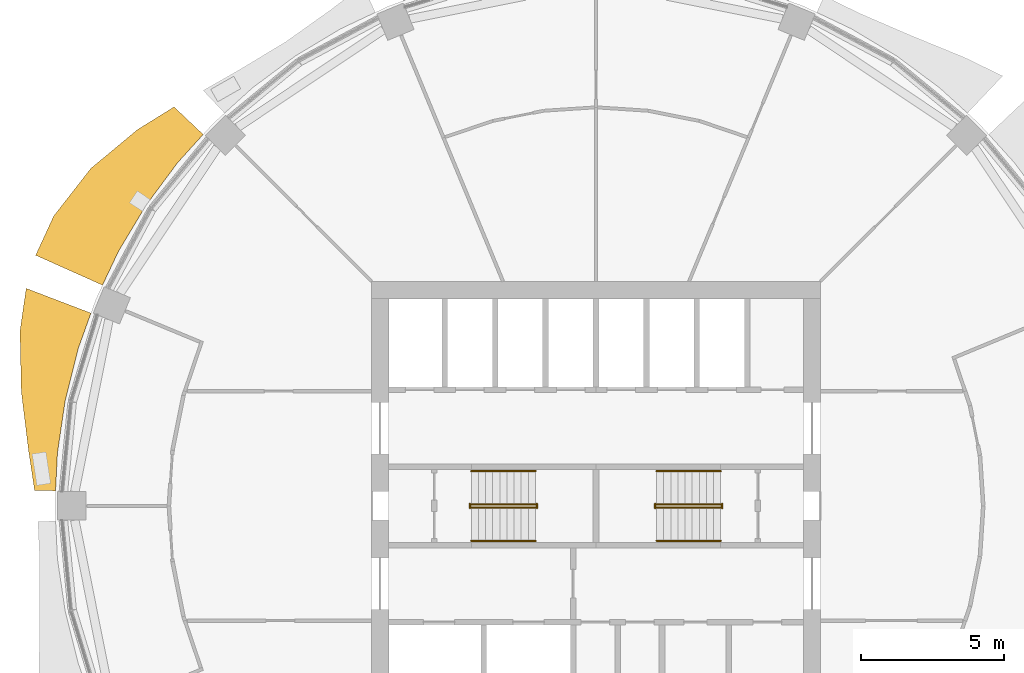
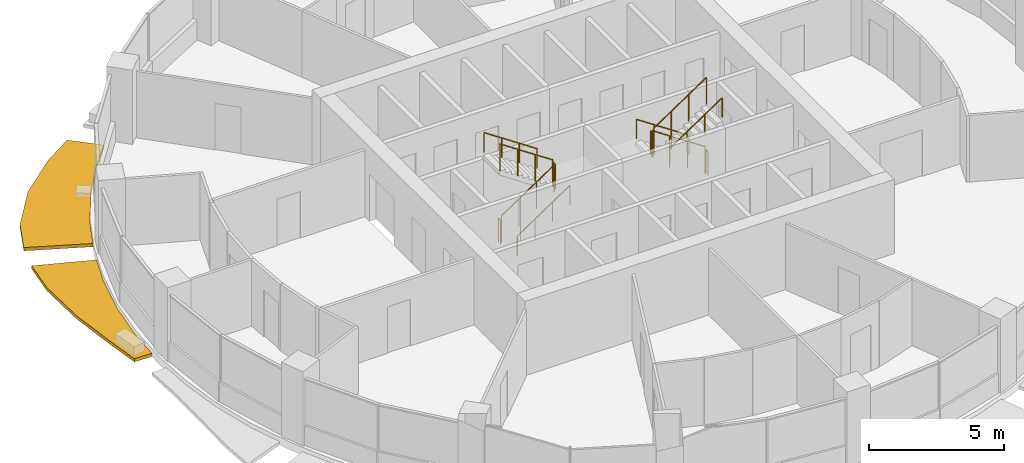
# One storey, part 13 of 15: 12 railings, 2 shading devices.
"""IFC4 building model written with IfcOpenShell, lengths in metres."""

from ifc_helpers import new_model, si_unit, direction, frame, origin, origin_2d, place, context, subcontext, project, spatial, polyline, circle, outline, extrude, material, type_object, element, save


model = new_model("IFC4")

# Units and contexts
model_context = context("Model", 3, precision=1e-05, world=origin(), true_north=direction((0.0, 1.0)))
body_context = subcontext(model_context, "Body", "Model", "MODEL_VIEW")
ifc_project = project(units=[si_unit("LENGTHUNIT", "METRE"), si_unit("AREAUNIT", "SQUARE_METRE"), si_unit("VOLUMEUNIT", "CUBIC_METRE"), si_unit("PLANEANGLEUNIT", "RADIAN"), si_unit("MASSUNIT", "GRAM", prefix="KILO")], contexts=[model_context])

# Site, building, storey
site_placement = place(None, origin())
site = spatial("IfcSite", under=ifc_project, at=site_placement, CompositionType="ELEMENT")
building_placement = place(site_placement, origin())
building = spatial("IfcBuilding", under=site, at=building_placement, Name="Polderwave Tower", CompositionType="ELEMENT")
storey_placement = place(building_placement, frame((0.0, 0.0, 134.35009765625)))
storey = spatial("IfcBuildingStorey", under=building, at=storey_placement, Name="L35", CompositionType="ELEMENT", Elevation=134.35009765625)

# Railings
ifc_material_1 = material(Name="Stainless steel", Category="steel")
railing_type_1 = type_object("IfcRailingType", Name="Stair guard 1100", PredefinedType="GUARDRAIL", material=ifc_material_1)
railing_1_placement = place(storey_placement, frame((-4.3740234375, -0.051025390625, 0.04736328125)))
element("IfcRailing", 1, at=railing_1_placement, inside=storey, type_object=railing_type_1, Name="L35 ST-A stair guard 1", PredefinedType="GUARDRAIL", context=body_context, shape_type="SweptSolid", body=[
    extrude(circle(Radius=0.02392578125, at=origin_2d()), frame((0.0, 0.0, 1.1962890625), z_axis=(0.830799990696, 0.0, 0.556571087517), x_axis=(0.0, 1.0, 0.0)), (0.0, 0.0, 1.0), 2.708251953125),
    extrude(circle(Radius=0.02392578125, at=origin_2d()), origin(), (0.0, 0.0, 1.0), 1.172119140625),
    extrude(circle(Radius=0.02392578125, at=origin_2d()), frame((0.75, 0.0, 0.50244140625)), (0.0, 0.0, 1.0), 1.172119140625),
    extrude(circle(Radius=0.02392578125, at=origin_2d()), frame((1.5, 0.0, 1.0048828125)), (0.0, 0.0, 1.0), 1.172119140625),
    extrude(circle(Radius=0.02392578125, at=origin_2d()), frame((2.25, 0.0, 1.50732421875)), (0.0, 0.0, 1.0), 1.172119140625),
])
railing_2_placement = place(storey_placement, frame((-2.073974609375, -0.074951171875, 1.6748046875)))
element("IfcRailing", 2, at=railing_2_placement, inside=storey, type_object=railing_type_1, Name="L35 ST-A stair guard 2", PredefinedType="GUARDRAIL", context=body_context, shape_type="SweptSolid", body=[
    extrude(circle(Radius=0.02392578125, at=origin_2d()), frame((0.0, 0.0, 1.076171875), z_axis=(0.0, 1.0, 0.0), x_axis=(-1.0, 0.0, 0.0)), (0.0, 0.0, 1.0), 0.14990234375),
    extrude(circle(Radius=0.02099609375, at=origin_2d()), origin(), (0.0, 0.0, 1.0), 1.052001953125),
    extrude(circle(Radius=0.02099609375, at=origin_2d()), frame((0.0, 0.14990234375, 0.0)), (0.0, 0.0, 1.0), 1.052001953125),
])
railing_3_placement = place(storey_placement, frame((-2.1240234375, 0.051025390625, 1.72216796875)))
element("IfcRailing", 3, at=railing_3_placement, inside=storey, type_object=railing_type_1, Name="L35 ST-A stair guard 3", PredefinedType="GUARDRAIL", context=body_context, shape_type="SweptSolid", body=[
    extrude(circle(Radius=0.02392578125, at=origin_2d()), frame((0.0, 0.0, 1.1962890625), z_axis=(-0.830758306289, 0.0, 0.556633305266), x_axis=(0.0, -1.0, 0.0)), (0.0, 0.0, 1.0), 2.708251953125),
    extrude(circle(Radius=0.02392578125, at=origin_2d()), origin(), (0.0, 0.0, 1.0), 1.172119140625),
    extrude(circle(Radius=0.02392578125, at=origin_2d()), frame((-0.75, 0.0, 0.50244140625)), (0.0, 0.0, 1.0), 1.172119140625),
    extrude(circle(Radius=0.02392578125, at=origin_2d()), frame((-1.5, 0.0, 1.005126953125)), (0.0, 0.0, 1.0), 1.172119140625),
    extrude(circle(Radius=0.02392578125, at=origin_2d()), frame((-2.25, 0.0, 1.507568359375)), (0.0, 0.0, 1.0), 1.172119140625),
])
railing_4_placement = place(storey_placement, frame((-4.424072265625, -0.074951171875, 0.0)))
element("IfcRailing", 4, at=railing_4_placement, inside=storey, type_object=railing_type_1, Name="L35 ST-A stair guard 4", PredefinedType="GUARDRAIL", context=body_context, shape_type="SweptSolid", body=[
    extrude(circle(Radius=0.02392578125, at=origin_2d()), frame((0.0, 0.0, 1.076171875), z_axis=(0.0, 1.0, 0.0), x_axis=(-1.0, 0.0, 0.0)), (0.0, 0.0, 1.0), 0.14990234375),
    extrude(circle(Radius=0.02099609375, at=origin_2d()), origin(), (0.0, 0.0, 1.0), 1.052001953125),
    extrude(circle(Radius=0.02099609375, at=origin_2d()), frame((0.0, 0.14990234375, 0.0)), (0.0, 0.0, 1.0), 1.052001953125),
])
railing_5_placement = place(storey_placement, frame((4.3740234375, 0.051025390625, 0.04736328125)))
element("IfcRailing", 5, at=railing_5_placement, inside=storey, type_object=railing_type_1, Name="L35 ST-B stair guard 1", PredefinedType="GUARDRAIL", context=body_context, shape_type="SweptSolid", body=[
    extrude(circle(Radius=0.02392578125, at=origin_2d()), frame((0.0, 0.0, 1.1962890625), z_axis=(-0.830799990696, 0.0, 0.556571087517), x_axis=(0.0, -1.0, 0.0)), (0.0, 0.0, 1.0), 2.708251953125),
    extrude(circle(Radius=0.02392578125, at=origin_2d()), origin(), (0.0, 0.0, 1.0), 1.172119140625),
    extrude(circle(Radius=0.02392578125, at=origin_2d()), frame((-0.75, 0.0, 0.50244140625)), (0.0, 0.0, 1.0), 1.172119140625),
    extrude(circle(Radius=0.02392578125, at=origin_2d()), frame((-1.5, 0.0, 1.0048828125)), (0.0, 0.0, 1.0), 1.172119140625),
    extrude(circle(Radius=0.02392578125, at=origin_2d()), frame((-2.25, 0.0, 1.50732421875)), (0.0, 0.0, 1.0), 1.172119140625),
])
railing_6_placement = place(storey_placement, frame((2.073974609375, 0.074951171875, 1.6748046875)))
element("IfcRailing", 6, at=railing_6_placement, inside=storey, type_object=railing_type_1, Name="L35 ST-B stair guard 2", PredefinedType="GUARDRAIL", context=body_context, shape_type="SweptSolid", body=[
    extrude(circle(Radius=0.02392578125, at=origin_2d()), frame((0.0, 0.0, 1.076171875), z_axis=(0.0, -1.0, 0.0), x_axis=(1.0, 0.0, 0.0)), (0.0, 0.0, 1.0), 0.14990234375),
    extrude(circle(Radius=0.02099609375, at=origin_2d()), origin(), (0.0, 0.0, 1.0), 1.052001953125),
    extrude(circle(Radius=0.02099609375, at=origin_2d()), frame((0.0, -0.14990234375, 0.0)), (0.0, 0.0, 1.0), 1.052001953125),
])
railing_7_placement = place(storey_placement, frame((2.1240234375, -0.051025390625, 1.72216796875)))
element("IfcRailing", 7, at=railing_7_placement, inside=storey, type_object=railing_type_1, Name="L35 ST-B stair guard 3", PredefinedType="GUARDRAIL", context=body_context, shape_type="SweptSolid", body=[
    extrude(circle(Radius=0.02392578125, at=origin_2d()), frame((0.0, 0.0, 1.1962890625), z_axis=(0.830758306289, 0.0, 0.556633305266), x_axis=(0.0, 1.0, 0.0)), (0.0, 0.0, 1.0), 2.708251953125),
    extrude(circle(Radius=0.02392578125, at=origin_2d()), origin(), (0.0, 0.0, 1.0), 1.172119140625),
    extrude(circle(Radius=0.02392578125, at=origin_2d()), frame((0.75, 0.0, 0.50244140625)), (0.0, 0.0, 1.0), 1.172119140625),
    extrude(circle(Radius=0.02392578125, at=origin_2d()), frame((1.5, 0.0, 1.005126953125)), (0.0, 0.0, 1.0), 1.172119140625),
    extrude(circle(Radius=0.02392578125, at=origin_2d()), frame((2.25, 0.0, 1.507568359375)), (0.0, 0.0, 1.0), 1.172119140625),
])
railing_8_placement = place(storey_placement, frame((4.424072265625, 0.074951171875, 0.0)))
element("IfcRailing", 8, at=railing_8_placement, inside=storey, type_object=railing_type_1, Name="L35 ST-B stair guard 4", PredefinedType="GUARDRAIL", context=body_context, shape_type="SweptSolid", body=[
    extrude(circle(Radius=0.02392578125, at=origin_2d()), frame((0.0, 0.0, 1.076171875), z_axis=(0.0, -1.0, 0.0), x_axis=(1.0, 0.0, 0.0)), (0.0, 0.0, 1.0), 0.14990234375),
    extrude(circle(Radius=0.02099609375, at=origin_2d()), origin(), (0.0, 0.0, 1.0), 1.052001953125),
    extrude(circle(Radius=0.02099609375, at=origin_2d()), frame((0.0, -0.14990234375, 0.0)), (0.0, 0.0, 1.0), 1.052001953125),
])
railing_type_2 = type_object("IfcRailingType", Name="Stair handrail 900", PredefinedType="HANDRAIL", material=ifc_material_1)
railing_9_placement = place(storey_placement, frame((-4.3740234375, -1.22509765625, 0.16748046875)))
element("IfcRailing", 9, at=railing_9_placement, inside=storey, type_object=railing_type_2, Name="L35 ST-A stair handrail 1", PredefinedType="HANDRAIL", context=body_context, shape_type="SweptSolid", body=[
    extrude(circle(Radius=0.02392578125, at=origin_2d()), frame((0.0, 0.0, 0.8759765625), z_axis=(0.830799990696, 0.0, 0.556571087517), x_axis=(0.0, 1.0, 0.0)), (0.0, 0.0, 1.0), 2.708251953125),
    extrude(circle(Radius=0.02099609375, at=origin_2d()), origin(), (0.0, 0.0, 1.0), 0.851806640625),
    extrude(circle(Radius=0.02099609375, at=origin_2d()), frame((0.75, 0.0, 0.50244140625)), (0.0, 0.0, 1.0), 0.851806640625),
    extrude(circle(Radius=0.02099609375, at=origin_2d()), frame((1.5, 0.0, 1.0048828125)), (0.0, 0.0, 1.0), 0.851806640625),
    extrude(circle(Radius=0.02099609375, at=origin_2d()), frame((2.25, 0.0, 1.50732421875)), (0.0, 0.0, 1.0), 0.851806640625),
])
railing_10_placement = place(storey_placement, frame((-2.1240234375, 1.22509765625, 1.84228515625)))
element("IfcRailing", 10, at=railing_10_placement, inside=storey, type_object=railing_type_2, Name="L35 ST-A stair handrail 2", PredefinedType="HANDRAIL", context=body_context, shape_type="SweptSolid", body=[
    extrude(circle(Radius=0.02392578125, at=origin_2d()), frame((0.0, 0.0, 0.8759765625), z_axis=(-0.830758306289, 0.0, 0.556633305266), x_axis=(0.0, -1.0, 0.0)), (0.0, 0.0, 1.0), 2.708251953125),
    extrude(circle(Radius=0.02099609375, at=origin_2d()), origin(), (0.0, 0.0, 1.0), 0.851806640625),
    extrude(circle(Radius=0.02099609375, at=origin_2d()), frame((-0.75, 0.0, 0.50244140625)), (0.0, 0.0, 1.0), 0.851806640625),
    extrude(circle(Radius=0.02099609375, at=origin_2d()), frame((-1.5, 0.0, 1.005126953125)), (0.0, 0.0, 1.0), 0.851806640625),
    extrude(circle(Radius=0.02099609375, at=origin_2d()), frame((-2.25, 0.0, 1.507568359375)), (0.0, 0.0, 1.0), 0.851806640625),
])
railing_11_placement = place(storey_placement, frame((4.3740234375, 1.22509765625, 0.16748046875)))
element("IfcRailing", 11, at=railing_11_placement, inside=storey, type_object=railing_type_2, Name="L35 ST-B stair handrail 1", PredefinedType="HANDRAIL", context=body_context, shape_type="SweptSolid", body=[
    extrude(circle(Radius=0.02392578125, at=origin_2d()), frame((0.0, 0.0, 0.8759765625), z_axis=(-0.830799990696, 0.0, 0.556571087517), x_axis=(0.0, -1.0, 0.0)), (0.0, 0.0, 1.0), 2.708251953125),
    extrude(circle(Radius=0.02099609375, at=origin_2d()), origin(), (0.0, 0.0, 1.0), 0.851806640625),
    extrude(circle(Radius=0.02099609375, at=origin_2d()), frame((-0.75, 0.0, 0.50244140625)), (0.0, 0.0, 1.0), 0.851806640625),
    extrude(circle(Radius=0.02099609375, at=origin_2d()), frame((-1.5, 0.0, 1.0048828125)), (0.0, 0.0, 1.0), 0.851806640625),
    extrude(circle(Radius=0.02099609375, at=origin_2d()), frame((-2.25, 0.0, 1.50732421875)), (0.0, 0.0, 1.0), 0.851806640625),
])
railing_12_placement = place(storey_placement, frame((2.1240234375, -1.22509765625, 1.84228515625)))
element("IfcRailing", 12, at=railing_12_placement, inside=storey, type_object=railing_type_2, Name="L35 ST-B stair handrail 2", PredefinedType="HANDRAIL", context=body_context, shape_type="SweptSolid", body=[
    extrude(circle(Radius=0.02392578125, at=origin_2d()), frame((0.0, 0.0, 0.8759765625), z_axis=(0.830758306289, 0.0, 0.556633305266), x_axis=(0.0, 1.0, 0.0)), (0.0, 0.0, 1.0), 2.708251953125),
    extrude(circle(Radius=0.02099609375, at=origin_2d()), origin(), (0.0, 0.0, 1.0), 0.851806640625),
    extrude(circle(Radius=0.02099609375, at=origin_2d()), frame((0.75, 0.0, 0.50244140625)), (0.0, 0.0, 1.0), 0.851806640625),
    extrude(circle(Radius=0.02099609375, at=origin_2d()), frame((1.5, 0.0, 1.005126953125)), (0.0, 0.0, 1.0), 0.851806640625),
    extrude(circle(Radius=0.02099609375, at=origin_2d()), frame((2.25, 0.0, 1.507568359375)), (0.0, 0.0, 1.0), 0.851806640625),
])

# Shading devices
ifc_material_2 = material(Name="Terracotta", Category="masonry")
shading_device_type = type_object("IfcShadingDeviceType", Name="Terracotta sunshade band", PredefinedType="USERDEFINED", material=ifc_material_2)
shading_device_1_placement = place(storey_placement, frame((0.0, 0.0, -0.35009765625)))
element("IfcShadingDevice", 13, at=shading_device_1_placement, inside=storey, type_object=shading_device_type, Name="Sunshade band L35 7", ObjectType="SUNSHADE", PredefinedType="USERDEFINED", context=body_context, shape_type="SweptSolid", body=[
    extrude(outline(polyline([(-13.77734375, 13.027587890625), (-14.671630859375, 12.040771484375), (-15.78125, 10.544677734375), (-16.739013671875, 8.947021484375), (-17.308349609375, 7.7431640625), (-19.652099609375, 8.79150390625), (-19.019775390625, 10.166259765625), (-17.716796875, 11.837890625), (-16.08203125, 13.197998046875), (-14.799072265625, 13.993896484375), (-13.77734375, 13.027587890625)])), origin(), (0.0, 0.0, 1.0), 0.14990234375),
])
shading_device_2_placement = place(storey_placement, frame((0.0, 0.0, -0.35009765625)))
element("IfcShadingDevice", 14, at=shading_device_2_placement, inside=storey, type_object=shading_device_type, Name="Sunshade band L35 8", ObjectType="SUNSHADE", PredefinedType="USERDEFINED", context=body_context, shape_type="SweptSolid", body=[
    extrude(outline(polyline([(-17.714111328125, 6.763671875), (-18.16259765625, 5.509521484375), (-18.615234375, 3.702880859375), (-18.888671875, 1.8603515625), (-18.9541015625, 0.530029296875), (-19.691162109375, 0.550537109375), (-19.903564453125, 1.960205078125), (-20.1552734375, 4.009033203125), (-20.201416015625, 6.1279296875), (-19.98486328125, 7.630615234375), (-17.714111328125, 6.763671875)])), origin(), (0.0, 0.0, 1.0), 0.14990234375),
])

save(model, "model.ifc")
